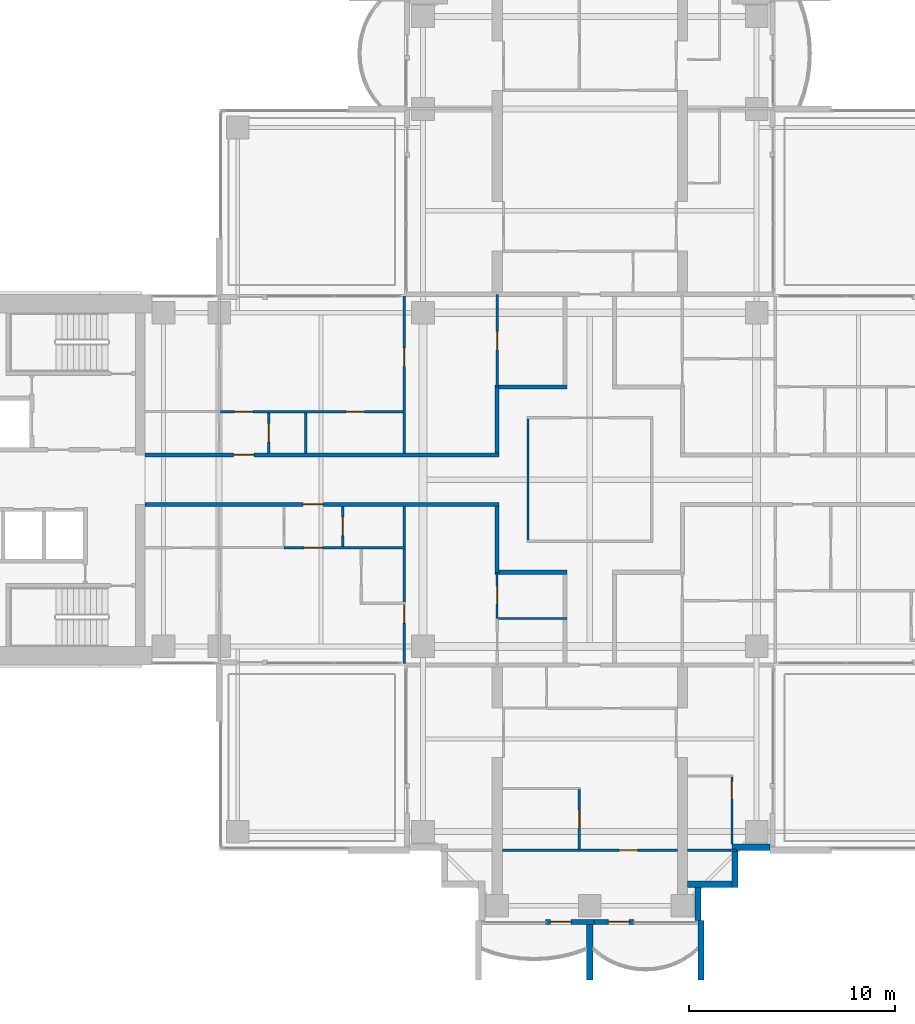
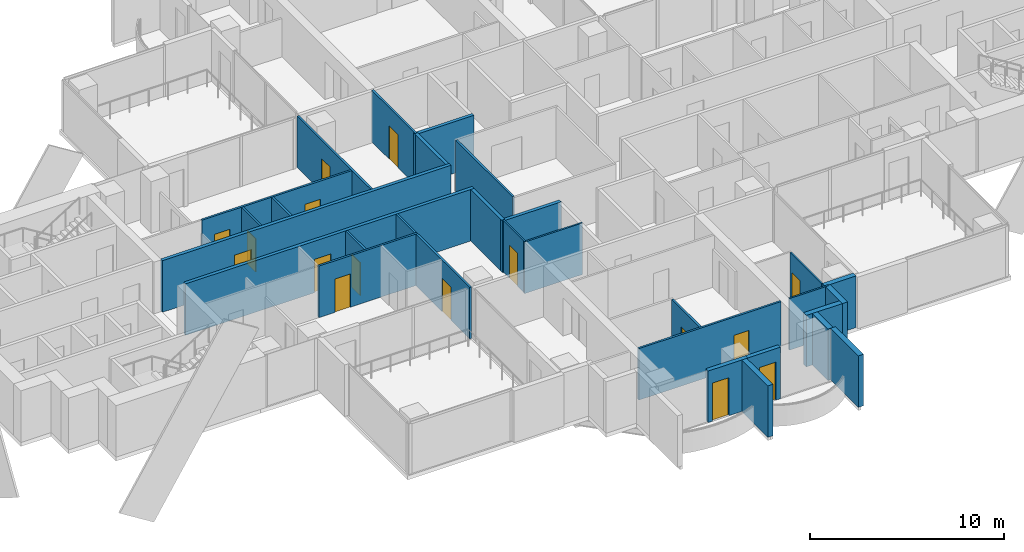
# One storey, part 10 of 19: 29 walls, 16 doors, 16 openings.
"""IFC4 building model written with IfcOpenShell, lengths in metres."""

from ifc_helpers import new_model, si_unit, direction, frame, frame_2d, origin, place, context, subcontext, project, spatial, rectangle, extrude, material, layer, layer_set, type_object, element, fill, save


model = new_model("IFC4")

# Units and contexts
model_context = context("Model", 3, precision=1e-05, world=origin(), true_north=direction((0.0, 1.0)))
body_context = subcontext(model_context, "Body", "Model", "MODEL_VIEW")
ifc_project = project(units=[si_unit("LENGTHUNIT", "METRE"), si_unit("AREAUNIT", "SQUARE_METRE"), si_unit("VOLUMEUNIT", "CUBIC_METRE"), si_unit("PLANEANGLEUNIT", "RADIAN"), si_unit("MASSUNIT", "GRAM", prefix="KILO")], contexts=[model_context])

# Site, building, storey
site_placement = place(None, origin())
site = spatial("IfcSite", under=ifc_project, at=site_placement, CompositionType="ELEMENT")
building_placement = place(site_placement, origin())
building = spatial("IfcBuilding", under=site, at=building_placement, Name="Perihelion Cross Residences", CompositionType="ELEMENT")
storey_placement = place(building_placement, frame((0.0, 0.0, 116.39990234375)))
storey = spatial("IfcBuildingStorey", under=building, at=storey_placement, Name="L27", CompositionType="ELEMENT", Elevation=116.39990234375)

# Wall, opening, door
ifc_material_1 = material(Name="Plasterboard partition")
ifc_layer_1 = layer(ifc_material_1, 0.199951171875)
ifc_layer_set_1 = layer_set([ifc_layer_1], Name="Apartment separation wall 200")
wall_type_1 = type_object("IfcWallType", Name="Apartment separation wall 200", PredefinedType="PARTITIONING", material=ifc_layer_set_1)
wall_1_placement = place(storey_placement, frame((-21.60009765625, 1.199951171875, 0.0), z_axis=(0.0, 0.0, 1.0), x_axis=(1.0, 0.0, 0.0)))
wall_1 = element("IfcWall", 1, at=wall_1_placement, inside=storey, type_object=wall_type_1, Name="Partition L27 W013", PredefinedType="PARTITIONING", context=body_context, shape_type="SweptSolid", body=[
    extrude(rectangle(XDim=17.2001953125, YDim=0.199951171875, at=frame_2d((8.60009765625, 0.0))), origin(), (0.0, 0.0, 1.0), 3.25),
])
opening_1_placement = place(wall_1_placement, frame((4.300048828125, 0.0, 0.0)))
opening_1 = element("IfcOpeningElement", 2, at=opening_1_placement, cuts=wall_1, Name="Opening L27.A51", PredefinedType="OPENING", context=body_context, shape_type="SweptSolid", body=[
    extrude(rectangle(XDim=1.0, YDim=2.10009765625, at=frame_2d((0.5, 1.050048828125))), frame((0.0, 0.10986328125, 0.0), z_axis=(0.0, -1.0, 0.0), x_axis=(1.0, 0.0, 0.0)), (0.0, 0.0, 1.0), 0.219970703125),
])
ifc_material_2 = material(Name="Timber door leaf", Category="wood")
door_type_1 = type_object("IfcDoorType", Name="Flat entrance door 1000 x 2100", OperationType="SINGLE_SWING_LEFT", PredefinedType="DOOR", material=ifc_material_2)
door_1_placement = place(opening_1_placement, origin())
door_1 = element("IfcDoor", 3, at=door_1_placement, inside=storey, type_object=door_type_1, Name="Door L27.A51", OperationType="SINGLE_SWING_LEFT", OverallHeight=2.10009765625, OverallWidth=1.0, PredefinedType="DOOR", context=body_context, shape_type="SweptSolid", body=[
    extrude(rectangle(XDim=1.0, YDim=2.10009765625, at=frame_2d((0.5, 1.050048828125))), frame((0.0, 0.02490234375, 0.0), z_axis=(0.0, -1.0, 0.0), x_axis=(1.0, 0.0, 0.0)), (0.0, 0.0, 1.0), 0.050048828125),
])
fill(opening_1, door_1)

# Walls
wall_2_placement = place(storey_placement, frame((-4.5, 1.300048828125, 0.0), z_axis=(0.0, 0.0, 1.0), x_axis=(0.0, 1.0, 0.0)))
element("IfcWall", 4, at=wall_2_placement, inside=storey, type_object=wall_type_1, Name="Partition L27 W014", PredefinedType="PARTITIONING", context=body_context, shape_type="SweptSolid", body=[
    extrude(rectangle(XDim=3.199951171875, YDim=0.199951171875, at=frame_2d((1.60009765625, 0.0))), origin(), (0.0, 0.0, 1.0), 3.25),
])
wall_3_placement = place(storey_placement, frame((-4.60009765625, 4.5, 0.0), z_axis=(0.0, 0.0, 1.0), x_axis=(1.0, 0.0, 0.0)))
element("IfcWall", 5, at=wall_3_placement, inside=storey, type_object=wall_type_1, Name="Partition L27 W015", PredefinedType="PARTITIONING", context=body_context, shape_type="SweptSolid", body=[
    extrude(rectangle(XDim=3.5, YDim=0.199951171875, at=frame_2d((1.75, 0.0))), origin(), (0.0, 0.0, 1.0), 3.25),
])

# Wall, opening, door
wall_4_placement = place(storey_placement, frame((-4.39990234375, -1.199951171875, 0.0), z_axis=(0.0, 0.0, 1.0), x_axis=(-1.0, 0.0, 0.0)))
wall_4 = element("IfcWall", 6, at=wall_4_placement, inside=storey, type_object=wall_type_1, Name="Partition L27 W017", PredefinedType="PARTITIONING", context=body_context, shape_type="SweptSolid", body=[
    extrude(rectangle(XDim=17.2001953125, YDim=0.199951171875, at=frame_2d((8.60009765625, 0.0))), origin(), (0.0, 0.0, 1.0), 3.25),
])
opening_2_placement = place(wall_4_placement, frame((8.52490234375, 0.0, 0.0)))
opening_2 = element("IfcOpeningElement", 7, at=opening_2_placement, cuts=wall_4, Name="Opening L27.A52", PredefinedType="OPENING", context=body_context, shape_type="SweptSolid", body=[
    extrude(rectangle(XDim=1.0, YDim=2.10009765625, at=frame_2d((0.5, 1.050048828125))), frame((0.0, 0.10986328125, 0.0), z_axis=(0.0, -1.0, 0.0), x_axis=(1.0, 0.0, 0.0)), (0.0, 0.0, 1.0), 0.219970703125),
])
door_2_placement = place(opening_2_placement, origin())
door_2 = element("IfcDoor", 8, at=door_2_placement, inside=storey, type_object=door_type_1, Name="Door L27.A52", OperationType="SINGLE_SWING_LEFT", OverallHeight=2.10009765625, OverallWidth=1.0, PredefinedType="DOOR", context=body_context, shape_type="SweptSolid", body=[
    extrude(rectangle(XDim=1.0, YDim=2.10009765625, at=frame_2d((0.5, 1.050048828125))), frame((0.0, 0.02490234375, 0.0), z_axis=(0.0, -1.0, 0.0), x_axis=(1.0, 0.0, 0.0)), (0.0, 0.0, 1.0), 0.050048828125),
])
fill(opening_2, door_2)

# Walls
wall_5_placement = place(storey_placement, frame((-4.5, -4.5, 0.0), z_axis=(0.0, 0.0, 1.0), x_axis=(0.0, 1.0, 0.0)))
element("IfcWall", 9, at=wall_5_placement, inside=storey, type_object=wall_type_1, Name="Partition L27 W018", PredefinedType="PARTITIONING", context=body_context, shape_type="SweptSolid", body=[
    extrude(rectangle(XDim=3.199951171875, YDim=0.199951171875, at=frame_2d((1.60009765625, 0.0))), origin(), (0.0, 0.0, 1.0), 3.25),
])
wall_6_placement = place(storey_placement, frame((-1.10009765625, -4.5, 0.0), z_axis=(0.0, 0.0, 1.0), x_axis=(-1.0, 0.0, 0.0)))
element("IfcWall", 10, at=wall_6_placement, inside=storey, type_object=wall_type_1, Name="Partition L27 W020", PredefinedType="PARTITIONING", context=body_context, shape_type="SweptSolid", body=[
    extrude(rectangle(XDim=3.5, YDim=0.199951171875, at=frame_2d((1.75, 0.0))), origin(), (0.0, 0.0, 1.0), 3.25),
])

# Wall, opening, door
ifc_material_3 = material(Name="Concrete C30/37, bronze-clad", Category="concrete")
ifc_layer_2 = layer(ifc_material_3, 0.25)
ifc_layer_set_2 = layer_set([ifc_layer_2], Name="Bronze-clad pier wall 250")
wall_type_2 = type_object("IfcWallType", Name="Bronze-clad pier wall 250", PredefinedType="SOLIDWALL", material=ifc_layer_set_2)
wall_7_placement = place(storey_placement, frame((-2.14990234375, -21.47509765625, 0.0), z_axis=(0.0, 0.0, 1.0), x_axis=(1.0, 0.0, 0.0)))
wall_7 = element("IfcWall", 11, at=wall_7_placement, inside=storey, type_object=wall_type_2, Name="Wall FW1 L27 south tip south bay 1 pier", PredefinedType="SOLIDWALL", context=body_context, shape_type="SweptSolid", body=[
    extrude(rectangle(XDim=2.349853515625, YDim=0.25, at=frame_2d((1.1748046875, 0.0))), origin(), (0.0, 0.0, 1.0), 3.25),
])
opening_3_placement = place(wall_7_placement, frame((0.25, 0.0, 0.0)))
opening_3 = element("IfcOpeningElement", 12, at=opening_3_placement, cuts=wall_7, Name="Opening L27.E11", PredefinedType="OPENING", context=body_context, shape_type="SweptSolid", body=[
    extrude(rectangle(XDim=1.0, YDim=2.39990234375, at=frame_2d((0.5, 1.199951171875))), frame((0.0, 0.135009765625, 0.0), z_axis=(0.0, -1.0, 0.0), x_axis=(1.0, 0.0, 0.0)), (0.0, 0.0, 1.0), 0.27001953125),
])
ifc_material_4 = material(Name="Bronze anodised aluminium, glazed", Category="aluminium")
door_type_2 = type_object("IfcDoorType", Name="Balcony door 1000 x 2400", OperationType="NOTDEFINED", PredefinedType="DOOR", material=ifc_material_4)
door_3_placement = place(opening_3_placement, origin())
door_3 = element("IfcDoor", 13, at=door_3_placement, inside=storey, type_object=door_type_2, Name="Door L27.E11 south tip south bay 1", OperationType="SINGLE_SWING_RIGHT", OverallHeight=2.39990234375, OverallWidth=1.0, PredefinedType="DOOR", context=body_context, shape_type="SweptSolid", body=[
    extrude(rectangle(XDim=1.0, YDim=2.39990234375, at=frame_2d((0.5, 1.199951171875))), frame((0.0, 0.02490234375, 0.0), z_axis=(0.0, -1.0, 0.0), x_axis=(1.0, 0.0, 0.0)), (0.0, 0.0, 1.0), 0.050048828125),
])
fill(opening_3, door_3)

wall_8_placement = place(storey_placement, frame((0.199951171875, -21.47509765625, 0.0), z_axis=(0.0, 0.0, 1.0), x_axis=(1.0, 0.0, 0.0)))
wall_8 = element("IfcWall", 14, at=wall_8_placement, inside=storey, type_object=wall_type_2, Name="Wall FW1 L27 south tip south bay 2 pier", PredefinedType="SOLIDWALL", context=body_context, shape_type="SweptSolid", body=[
    extrude(rectangle(XDim=1.949951171875, YDim=0.25, at=frame_2d((0.97509765625, 0.0))), origin(), (0.0, 0.0, 1.0), 3.25),
])
opening_4_placement = place(wall_8_placement, frame((0.699951171875, 0.0, 0.0)))
opening_4 = element("IfcOpeningElement", 15, at=opening_4_placement, cuts=wall_8, Name="Opening L27.E12", PredefinedType="OPENING", context=body_context, shape_type="SweptSolid", body=[
    extrude(rectangle(XDim=1.0, YDim=2.39990234375, at=frame_2d((0.5, 1.199951171875))), frame((0.0, 0.135009765625, 0.0), z_axis=(0.0, -1.0, 0.0), x_axis=(1.0, 0.0, 0.0)), (0.0, 0.0, 1.0), 0.27001953125),
])
door_4_placement = place(opening_4_placement, origin())
door_4 = element("IfcDoor", 16, at=door_4_placement, inside=storey, type_object=door_type_2, Name="Door L27.E12 south tip south bay 2", OperationType="SINGLE_SWING_LEFT", OverallHeight=2.39990234375, OverallWidth=1.0, PredefinedType="DOOR", context=body_context, shape_type="SweptSolid", body=[
    extrude(rectangle(XDim=1.0, YDim=2.39990234375, at=frame_2d((0.5, 1.199951171875))), frame((0.0, 0.02490234375, 0.0), z_axis=(0.0, -1.0, 0.0), x_axis=(1.0, 0.0, 0.0)), (0.0, 0.0, 1.0), 0.050048828125),
])
fill(opening_4, door_4)

# Walls
ifc_material_5 = material(Name="Concrete C30/37, bronze-clad", Category="concrete")
ifc_layer_3 = layer(ifc_material_5, 0.300048828125)
ifc_layer_set_3 = layer_set([ifc_layer_3], Name="Bronze-clad serration wall 300")
wall_type_3 = type_object("IfcWallType", Name="Bronze-clad serration wall 300", PredefinedType="SOLIDWALL", material=ifc_layer_set_3)
wall_9_placement = place(storey_placement, frame((5.25, -21.419921875, 0.0), z_axis=(0.0, 0.0, 1.0), x_axis=(0.0, 1.0, 0.0)))
element("IfcWall", 17, at=wall_9_placement, inside=storey, type_object=wall_type_3, Name="Wall SR1 L27 south corner south-east 1", PredefinedType="SOLIDWALL", context=body_context, shape_type="SweptSolid", body=[
    extrude(rectangle(XDim=1.619873046875, YDim=0.300048828125, at=frame_2d((0.81005859375, 0.0))), origin(), (0.0, 0.0, 1.0), 3.25),
])
wall_10_placement = place(storey_placement, frame((4.75, -19.64990234375, 0.0), z_axis=(0.0, 0.0, 1.0), x_axis=(1.0, 0.0, 0.0)))
element("IfcWall", 18, at=wall_10_placement, inside=storey, type_object=wall_type_3, Name="Wall SR1 L27 south corner south-east 2", PredefinedType="SOLIDWALL", context=body_context, shape_type="SweptSolid", body=[
    extrude(rectangle(XDim=2.14990234375, YDim=0.300048828125, at=frame_2d((1.074951171875, 0.0))), origin(), (0.0, 0.0, 1.0), 3.25),
])
wall_11_placement = place(storey_placement, frame((7.050048828125, -19.800048828125, 0.0), z_axis=(0.0, 0.0, 1.0), x_axis=(0.0, 1.0, 0.0)))
element("IfcWall", 19, at=wall_11_placement, inside=storey, type_object=wall_type_3, Name="Wall SR1 L27 south corner south-east 3", PredefinedType="SOLIDWALL", context=body_context, shape_type="SweptSolid", body=[
    extrude(rectangle(XDim=1.800048828125, YDim=0.300048828125, at=frame_2d((0.89990234375, 0.0))), origin(), (0.0, 0.0, 1.0), 3.25),
])
wall_12_placement = place(storey_placement, frame((6.89990234375, -17.85009765625, 0.0), z_axis=(0.0, 0.0, 1.0), x_axis=(1.0, 0.0, 0.0)))
element("IfcWall", 20, at=wall_12_placement, inside=storey, type_object=wall_type_3, Name="Wall SR1 L27 south corner south-east 4", PredefinedType="SOLIDWALL", context=body_context, shape_type="SweptSolid", body=[
    extrude(rectangle(XDim=1.85009765625, YDim=0.300048828125, at=frame_2d((0.925048828125, 0.0))), origin(), (0.0, 0.0, 1.0), 3.25),
])
ifc_material_6 = material(Name="Plasterboard partition")
ifc_layer_4 = layer(ifc_material_6, 0.1201171875)
ifc_layer_set_4 = layer_set([ifc_layer_4], Name="Partition wall 120")
wall_type_4 = type_object("IfcWallType", Name="Partition wall 120", PredefinedType="PARTITIONING", material=ifc_layer_set_4)
wall_13_placement = place(storey_placement, frame((-3.0, 2.93994140625, 0.0), z_axis=(0.0, 0.0, 1.0), x_axis=(0.0, -1.0, 0.0)))
element("IfcWall", 21, at=wall_13_placement, inside=storey, type_object=wall_type_4, Name="Partition L27 W004", PredefinedType="PARTITIONING", context=body_context, shape_type="SweptSolid", body=[
    extrude(rectangle(XDim=5.8798828125, YDim=0.1201171875, at=frame_2d((2.93994140625, 0.0))), origin(), (0.0, 0.0, 1.0), 3.25),
])
wall_14_placement = place(storey_placement, frame((-13.800048828125, 1.300048828125, 0.0), z_axis=(0.0, 0.0, 1.0), x_axis=(0.0, 1.0, 0.0)))
element("IfcWall", 22, at=wall_14_placement, inside=storey, type_object=wall_type_4, Name="Partition L27 W045", PredefinedType="PARTITIONING", context=body_context, shape_type="SweptSolid", body=[
    extrude(rectangle(XDim=1.93994140625, YDim=0.1201171875, at=frame_2d((0.969970703125, 0.0))), origin(), (0.0, 0.0, 1.0), 3.25),
])

# Wall, openings, doors
wall_15_placement = place(storey_placement, frame((-18.0, 3.300048828125, 0.0), z_axis=(0.0, 0.0, 1.0), x_axis=(1.0, 0.0, 0.0)))
wall_15 = element("IfcWall", 23, at=wall_15_placement, inside=storey, type_object=wall_type_4, Name="Partition L27 W046", PredefinedType="PARTITIONING", context=body_context, shape_type="SweptSolid", body=[
    extrude(rectangle(XDim=9.06005859375, YDim=0.1201171875, at=frame_2d((4.530029296875, 0.0))), origin(), (0.0, 0.0, 1.0), 3.25),
])
opening_5_placement = place(wall_15_placement, frame((6.14990234375, 0.0, 0.0)))
opening_5 = element("IfcOpeningElement", 24, at=opening_5_placement, cuts=wall_15, Name="Opening L27.A20", PredefinedType="OPENING", context=body_context, shape_type="SweptSolid", body=[
    extrude(rectangle(XDim=0.89990234375, YDim=2.10009765625, at=frame_2d((0.449951171875, 1.050048828125))), frame((0.0, 0.070068359375, 0.0), z_axis=(0.0, -1.0, 0.0), x_axis=(1.0, 0.0, 0.0)), (0.0, 0.0, 1.0), 0.14013671875),
])
opening_6_placement = place(wall_15_placement, frame((0.75, 0.0, 0.0)))
opening_6 = element("IfcOpeningElement", 25, at=opening_6_placement, cuts=wall_15, Name="Opening L27.A23", PredefinedType="OPENING", context=body_context, shape_type="SweptSolid", body=[
    extrude(rectangle(XDim=0.89990234375, YDim=2.10009765625, at=frame_2d((0.449951171875, 1.050048828125))), frame((0.0, 0.070068359375, 0.0), z_axis=(0.0, -1.0, 0.0), x_axis=(1.0, 0.0, 0.0)), (0.0, 0.0, 1.0), 0.14013671875),
])
ifc_material_7 = material(Name="Timber door leaf", Category="wood")
door_type_3 = type_object("IfcDoorType", Name="Interior room door 900 x 2100", OperationType="SINGLE_SWING_LEFT", PredefinedType="DOOR", material=ifc_material_7)
door_5_placement = place(opening_5_placement, origin())
door_5 = element("IfcDoor", 26, at=door_5_placement, inside=storey, type_object=door_type_3, Name="Door L27.A20", OperationType="SINGLE_SWING_LEFT", OverallHeight=2.10009765625, OverallWidth=0.89990234375, PredefinedType="DOOR", context=body_context, shape_type="SweptSolid", body=[
    extrude(rectangle(XDim=0.89990234375, YDim=2.10009765625, at=frame_2d((0.449951171875, 1.050048828125))), frame((0.0, 0.02490234375, 0.0), z_axis=(0.0, -1.0, 0.0), x_axis=(1.0, 0.0, 0.0)), (0.0, 0.0, 1.0), 0.050048828125),
])
fill(opening_5, door_5)
door_6_placement = place(opening_6_placement, origin())
door_6 = element("IfcDoor", 27, at=door_6_placement, inside=storey, type_object=door_type_3, Name="Door L27.A23", OperationType="SINGLE_SWING_RIGHT", OverallHeight=2.10009765625, OverallWidth=0.89990234375, PredefinedType="DOOR", context=body_context, shape_type="SweptSolid", body=[
    extrude(rectangle(XDim=0.89990234375, YDim=2.10009765625, at=frame_2d((0.449951171875, 1.050048828125))), frame((0.0, 0.02490234375, 0.0), z_axis=(0.0, -1.0, 0.0), x_axis=(1.0, 0.0, 0.0)), (0.0, 0.0, 1.0), 0.050048828125),
])
fill(opening_6, door_6)

# Wall, opening, door
wall_16_placement = place(storey_placement, frame((-9.0, 8.919921875, 0.0), z_axis=(0.0, 0.0, 1.0), x_axis=(0.0, -1.0, 0.0)))
wall_16 = element("IfcWall", 28, at=wall_16_placement, inside=storey, type_object=wall_type_4, Name="Partition L27 W047", PredefinedType="PARTITIONING", context=body_context, shape_type="SweptSolid", body=[
    extrude(rectangle(XDim=7.619873046875, YDim=0.1201171875, at=frame_2d((3.81005859375, 0.0))), origin(), (0.0, 0.0, 1.0), 3.25),
])
opening_7_placement = place(wall_16_placement, frame((2.52001953125, 0.0, 0.0)))
opening_7 = element("IfcOpeningElement", 29, at=opening_7_placement, cuts=wall_16, Name="Opening L27.A21", PredefinedType="OPENING", context=body_context, shape_type="SweptSolid", body=[
    extrude(rectangle(XDim=0.89990234375, YDim=2.10009765625, at=frame_2d((0.449951171875, 1.050048828125))), frame((0.0, 0.070068359375, 0.0), z_axis=(0.0, -1.0, 0.0), x_axis=(1.0, 0.0, 0.0)), (0.0, 0.0, 1.0), 0.14013671875),
])
door_7_placement = place(opening_7_placement, origin())
door_7 = element("IfcDoor", 30, at=door_7_placement, inside=storey, type_object=door_type_3, Name="Door L27.A21", OperationType="SINGLE_SWING_LEFT", OverallHeight=2.10009765625, OverallWidth=0.89990234375, PredefinedType="DOOR", context=body_context, shape_type="SweptSolid", body=[
    extrude(rectangle(XDim=0.89990234375, YDim=2.10009765625, at=frame_2d((0.449951171875, 1.050048828125))), frame((0.0, 0.02490234375, 0.0), z_axis=(0.0, -1.0, 0.0), x_axis=(1.0, 0.0, 0.0)), (0.0, 0.0, 1.0), 0.050048828125),
])
fill(opening_7, door_7)

wall_17_placement = place(storey_placement, frame((-15.60009765625, 1.300048828125, 0.0), z_axis=(0.0, 0.0, 1.0), x_axis=(0.0, 1.0, 0.0)))
wall_17 = element("IfcWall", 31, at=wall_17_placement, inside=storey, type_object=wall_type_4, Name="Partition L27 W048", PredefinedType="PARTITIONING", context=body_context, shape_type="SweptSolid", body=[
    extrude(rectangle(XDim=1.93994140625, YDim=0.1201171875, at=frame_2d((0.969970703125, 0.0))), origin(), (0.0, 0.0, 1.0), 3.25),
])
opening_8_placement = place(wall_17_placement, frame((0.52001953125, 0.0, 0.0)))
opening_8 = element("IfcOpeningElement", 32, at=opening_8_placement, cuts=wall_17, Name="Opening L27.A25", PredefinedType="OPENING", context=body_context, shape_type="SweptSolid", body=[
    extrude(rectangle(XDim=0.89990234375, YDim=2.10009765625, at=frame_2d((0.449951171875, 1.050048828125))), frame((0.0, 0.070068359375, 0.0), z_axis=(0.0, -1.0, 0.0), x_axis=(1.0, 0.0, 0.0)), (0.0, 0.0, 1.0), 0.14013671875),
])
door_8_placement = place(opening_8_placement, origin())
door_8 = element("IfcDoor", 33, at=door_8_placement, inside=storey, type_object=door_type_3, Name="Door L27.A25", OperationType="SINGLE_SWING_LEFT", OverallHeight=2.10009765625, OverallWidth=0.89990234375, PredefinedType="DOOR", context=body_context, shape_type="SweptSolid", body=[
    extrude(rectangle(XDim=0.89990234375, YDim=2.10009765625, at=frame_2d((0.449951171875, 1.050048828125))), frame((0.0, 0.02490234375, 0.0), z_axis=(0.0, -1.0, 0.0), x_axis=(1.0, 0.0, 0.0)), (0.0, 0.0, 1.0), 0.050048828125),
])
fill(opening_8, door_8)

wall_18_placement = place(storey_placement, frame((-4.5, 9.0, 0.0), z_axis=(0.0, 0.0, 1.0), x_axis=(0.0, -1.0, 0.0)))
wall_18 = element("IfcWall", 34, at=wall_18_placement, inside=storey, type_object=wall_type_4, Name="Partition L27 W052", PredefinedType="PARTITIONING", context=body_context, shape_type="SweptSolid", body=[
    extrude(rectangle(XDim=4.5, YDim=0.1201171875, at=frame_2d((2.25, 0.0))), origin(), (0.0, 0.0, 1.0), 3.25),
])
opening_9_placement = place(wall_18_placement, frame((1.800048828125, 0.0, 0.0)))
opening_9 = element("IfcOpeningElement", 35, at=opening_9_placement, cuts=wall_18, Name="Opening L27.A22", PredefinedType="OPENING", context=body_context, shape_type="SweptSolid", body=[
    extrude(rectangle(XDim=0.89990234375, YDim=2.10009765625, at=frame_2d((0.449951171875, 1.050048828125))), frame((0.0, 0.070068359375, 0.0), z_axis=(0.0, -1.0, 0.0), x_axis=(1.0, 0.0, 0.0)), (0.0, 0.0, 1.0), 0.14013671875),
])
door_9_placement = place(opening_9_placement, origin())
door_9 = element("IfcDoor", 36, at=door_9_placement, inside=storey, type_object=door_type_3, Name="Door L27.A22", OperationType="SINGLE_SWING_LEFT", OverallHeight=2.10009765625, OverallWidth=0.89990234375, PredefinedType="DOOR", context=body_context, shape_type="SweptSolid", body=[
    extrude(rectangle(XDim=0.89990234375, YDim=2.10009765625, at=frame_2d((0.449951171875, 1.050048828125))), frame((0.0, 0.02490234375, 0.0), z_axis=(0.0, -1.0, 0.0), x_axis=(1.0, 0.0, 0.0)), (0.0, 0.0, 1.0), 0.050048828125),
])
fill(opening_9, door_9)

wall_19_placement = place(storey_placement, frame((-12.0, -3.239990234375, 0.0), z_axis=(0.0, 0.0, 1.0), x_axis=(0.0, 1.0, 0.0)))
wall_19 = element("IfcWall", 37, at=wall_19_placement, inside=storey, type_object=wall_type_4, Name="Partition L27 W053", PredefinedType="PARTITIONING", context=body_context, shape_type="SweptSolid", body=[
    extrude(rectangle(XDim=1.93994140625, YDim=0.1201171875, at=frame_2d((0.969970703125, 0.0))), origin(), (0.0, 0.0, 1.0), 3.25),
])
opening_10_placement = place(wall_19_placement, frame((0.52001953125, 0.0, 0.0)))
opening_10 = element("IfcOpeningElement", 38, at=opening_10_placement, cuts=wall_19, Name="Opening L27.A29", PredefinedType="OPENING", context=body_context, shape_type="SweptSolid", body=[
    extrude(rectangle(XDim=0.89990234375, YDim=2.10009765625, at=frame_2d((0.449951171875, 1.050048828125))), frame((0.0, 0.070068359375, 0.0), z_axis=(0.0, -1.0, 0.0), x_axis=(1.0, 0.0, 0.0)), (0.0, 0.0, 1.0), 0.14013671875),
])
door_10_placement = place(opening_10_placement, origin())
door_10 = element("IfcDoor", 39, at=door_10_placement, inside=storey, type_object=door_type_3, Name="Door L27.A29", OperationType="SINGLE_SWING_LEFT", OverallHeight=2.10009765625, OverallWidth=0.89990234375, PredefinedType="DOOR", context=body_context, shape_type="SweptSolid", body=[
    extrude(rectangle(XDim=0.89990234375, YDim=2.10009765625, at=frame_2d((0.449951171875, 1.050048828125))), frame((0.0, 0.02490234375, 0.0), z_axis=(0.0, -1.0, 0.0), x_axis=(1.0, 0.0, 0.0)), (0.0, 0.0, 1.0), 0.050048828125),
])
fill(opening_10, door_10)

wall_20_placement = place(storey_placement, frame((-8.93994140625, -3.300048828125, 0.0), z_axis=(0.0, 0.0, 1.0), x_axis=(-1.0, 0.0, 0.0)))
wall_20 = element("IfcWall", 40, at=wall_20_placement, inside=storey, type_object=wall_type_4, Name="Partition L27 W054", PredefinedType="PARTITIONING", context=body_context, shape_type="SweptSolid", body=[
    extrude(rectangle(XDim=5.91015625, YDim=0.1201171875, at=frame_2d((2.955078125, 0.0))), origin(), (0.0, 0.0, 1.0), 3.25),
])
opening_11_placement = place(wall_20_placement, frame((4.034912109375, 0.0, 0.0)))
opening_11 = element("IfcOpeningElement", 41, at=opening_11_placement, cuts=wall_20, Name="Opening L27.A34", PredefinedType="OPENING", context=body_context, shape_type="SweptSolid", body=[
    extrude(rectangle(XDim=0.89990234375, YDim=2.10009765625, at=frame_2d((0.449951171875, 1.050048828125))), frame((0.0, 0.070068359375, 0.0), z_axis=(0.0, -1.0, 0.0), x_axis=(1.0, 0.0, 0.0)), (0.0, 0.0, 1.0), 0.14013671875),
])
door_11_placement = place(opening_11_placement, origin())
door_11 = element("IfcDoor", 42, at=door_11_placement, inside=storey, type_object=door_type_3, Name="Door L27.A34", OperationType="SINGLE_SWING_RIGHT", OverallHeight=2.10009765625, OverallWidth=0.89990234375, PredefinedType="DOOR", context=body_context, shape_type="SweptSolid", body=[
    extrude(rectangle(XDim=0.89990234375, YDim=2.10009765625, at=frame_2d((0.449951171875, 1.050048828125))), frame((0.0, 0.02490234375, 0.0), z_axis=(0.0, -1.0, 0.0), x_axis=(1.0, 0.0, 0.0)), (0.0, 0.0, 1.0), 0.050048828125),
])
fill(opening_11, door_11)

wall_21_placement = place(storey_placement, frame((-9.0, -1.300048828125, 0.0), z_axis=(0.0, 0.0, 1.0), x_axis=(0.0, -1.0, 0.0)))
wall_21 = element("IfcWall", 43, at=wall_21_placement, inside=storey, type_object=wall_type_4, Name="Partition L27 W055", PredefinedType="PARTITIONING", context=body_context, shape_type="SweptSolid", body=[
    extrude(rectangle(XDim=7.619873046875, YDim=0.1201171875, at=frame_2d((3.81005859375, 0.0))), origin(), (0.0, 0.0, 1.0), 3.25),
])
opening_12_placement = place(wall_21_placement, frame((4.77001953125, 0.0, 0.0)))
opening_12 = element("IfcOpeningElement", 44, at=opening_12_placement, cuts=wall_21, Name="Opening L27.A28", PredefinedType="OPENING", context=body_context, shape_type="SweptSolid", body=[
    extrude(rectangle(XDim=0.89990234375, YDim=2.10009765625, at=frame_2d((0.449951171875, 1.050048828125))), frame((0.0, 0.070068359375, 0.0), z_axis=(0.0, -1.0, 0.0), x_axis=(1.0, 0.0, 0.0)), (0.0, 0.0, 1.0), 0.14013671875),
])
door_12_placement = place(opening_12_placement, origin())
door_12 = element("IfcDoor", 45, at=door_12_placement, inside=storey, type_object=door_type_3, Name="Door L27.A28", OperationType="SINGLE_SWING_RIGHT", OverallHeight=2.10009765625, OverallWidth=0.89990234375, PredefinedType="DOOR", context=body_context, shape_type="SweptSolid", body=[
    extrude(rectangle(XDim=0.89990234375, YDim=2.10009765625, at=frame_2d((0.449951171875, 1.050048828125))), frame((0.0, 0.02490234375, 0.0), z_axis=(0.0, -1.0, 0.0), x_axis=(1.0, 0.0, 0.0)), (0.0, 0.0, 1.0), 0.050048828125),
])
fill(opening_12, door_12)

wall_22_placement = place(storey_placement, frame((-0.5, -17.93994140625, 0.0), z_axis=(0.0, 0.0, 1.0), x_axis=(0.0, 1.0, 0.0)))
wall_22 = element("IfcWall", 46, at=wall_22_placement, inside=storey, type_object=wall_type_4, Name="Partition L27 W085", PredefinedType="PARTITIONING", context=body_context, shape_type="SweptSolid", body=[
    extrude(rectangle(XDim=2.8798828125, YDim=0.1201171875, at=frame_2d((1.43994140625, 0.0))), origin(), (0.0, 0.0, 1.0), 3.25),
])
opening_13_placement = place(wall_22_placement, frame((0.989990234375, 0.0, 0.0)))
opening_13 = element("IfcOpeningElement", 47, at=opening_13_placement, cuts=wall_22, Name="Opening L27.A46", PredefinedType="OPENING", context=body_context, shape_type="SweptSolid", body=[
    extrude(rectangle(XDim=0.89990234375, YDim=2.10009765625, at=frame_2d((0.449951171875, 1.050048828125))), frame((0.0, 0.070068359375, 0.0), z_axis=(0.0, -1.0, 0.0), x_axis=(1.0, 0.0, 0.0)), (0.0, 0.0, 1.0), 0.14013671875),
])
door_13_placement = place(opening_13_placement, origin())
door_13 = element("IfcDoor", 48, at=door_13_placement, inside=storey, type_object=door_type_3, Name="Door L27.A46", OperationType="SINGLE_SWING_RIGHT", OverallHeight=2.10009765625, OverallWidth=0.89990234375, PredefinedType="DOOR", context=body_context, shape_type="SweptSolid", body=[
    extrude(rectangle(XDim=0.89990234375, YDim=2.10009765625, at=frame_2d((0.449951171875, 1.050048828125))), frame((0.0, 0.02490234375, 0.0), z_axis=(0.0, -1.0, 0.0), x_axis=(1.0, 0.0, 0.0)), (0.0, 0.0, 1.0), 0.050048828125),
])
fill(opening_13, door_13)

wall_23_placement = place(storey_placement, frame((4.25, -18.0, 0.0), z_axis=(0.0, 0.0, 1.0), x_axis=(-1.0, 0.0, 0.0)))
wall_23 = element("IfcWall", 49, at=wall_23_placement, inside=storey, type_object=wall_type_4, Name="Partition L27 W087", PredefinedType="PARTITIONING", context=body_context, shape_type="SweptSolid", body=[
    extrude(rectangle(XDim=8.5, YDim=0.1201171875, at=frame_2d((4.25, 0.0))), origin(), (0.0, 0.0, 1.0), 3.25),
])
opening_14_placement = place(wall_23_placement, frame((1.925048828125, 0.0, 0.0)))
opening_14 = element("IfcOpeningElement", 50, at=opening_14_placement, cuts=wall_23, Name="Opening L27.A47", PredefinedType="OPENING", context=body_context, shape_type="SweptSolid", body=[
    extrude(rectangle(XDim=0.89990234375, YDim=2.10009765625, at=frame_2d((0.449951171875, 1.050048828125))), frame((0.0, 0.070068359375, 0.0), z_axis=(0.0, -1.0, 0.0), x_axis=(1.0, 0.0, 0.0)), (0.0, 0.0, 1.0), 0.14013671875),
])
door_14_placement = place(opening_14_placement, origin())
door_14 = element("IfcDoor", 51, at=door_14_placement, inside=storey, type_object=door_type_3, Name="Door L27.A47", OperationType="SINGLE_SWING_RIGHT", OverallHeight=2.10009765625, OverallWidth=0.89990234375, PredefinedType="DOOR", context=body_context, shape_type="SweptSolid", body=[
    extrude(rectangle(XDim=0.89990234375, YDim=2.10009765625, at=frame_2d((0.449951171875, 1.050048828125))), frame((0.0, 0.02490234375, 0.0), z_axis=(0.0, -1.0, 0.0), x_axis=(1.0, 0.0, 0.0)), (0.0, 0.0, 1.0), 0.050048828125),
])
fill(opening_14, door_14)

# Walls
ifc_material_8 = material(Name="Precast concrete C50/60", Category="concrete")
ifc_layer_5 = layer(ifc_material_8, 0.300048828125)
ifc_layer_set_5 = layer_set([ifc_layer_5], Name="Precast concrete C50/60 blade wall 300")
wall_type_5 = type_object("IfcWallType", Name="Precast concrete C50/60 blade wall 300", PredefinedType="SOLIDWALL", material=ifc_layer_set_5)
wall_24_placement = place(storey_placement, frame((0.0, -21.60009765625, 0.0), z_axis=(0.0, 0.0, 1.0), x_axis=(0.0, -1.0, 0.0)))
element("IfcWall", 52, at=wall_24_placement, inside=storey, type_object=wall_type_5, Name="Wall BL1 L27 no. 8", PredefinedType="SOLIDWALL", context=body_context, shape_type="SweptSolid", body=[
    extrude(rectangle(XDim=2.699951171875, YDim=0.300048828125, at=frame_2d((1.35009765625, 0.0))), origin(), (0.0, 0.0, 1.0), 3.25),
])
wall_25_placement = place(storey_placement, frame((5.39990234375, -21.419921875, 0.0), z_axis=(0.0, 0.0, 1.0), x_axis=(0.0, -1.0, 0.0)))
element("IfcWall", 53, at=wall_25_placement, inside=storey, type_object=wall_type_5, Name="Wall BL1 L27 no. 12", PredefinedType="SOLIDWALL", context=body_context, shape_type="SweptSolid", body=[
    extrude(rectangle(XDim=2.880126953125, YDim=0.300048828125, at=frame_2d((1.43994140625, 0.0))), origin(), (0.0, 0.0, 1.0), 3.25),
])

# Wall, opening, door
ifc_material_9 = material(Name="Plasterboard partition")
ifc_layer_6 = layer(ifc_material_9, 0.10009765625)
ifc_layer_set_6 = layer_set([ifc_layer_6], Name="Wet room wall 100")
wall_type_6 = type_object("IfcWallType", Name="Wet room wall 100", PredefinedType="PARTITIONING", material=ifc_layer_set_6)
wall_26_placement = place(storey_placement, frame((-4.5, -4.5, 0.0), z_axis=(0.0, 0.0, 1.0), x_axis=(0.0, -1.0, 0.0)))
wall_26 = element("IfcWall", 54, at=wall_26_placement, inside=storey, type_object=wall_type_6, Name="Partition L27 W063", PredefinedType="PARTITIONING", context=body_context, shape_type="SweptSolid", body=[
    extrude(rectangle(XDim=2.25, YDim=0.10009765625, at=frame_2d((1.125, 0.0))), origin(), (0.0, 0.0, 1.0), 3.25),
])
opening_15_placement = place(wall_26_placement, frame((0.699951171875, 0.0, 0.0)))
opening_15 = element("IfcOpeningElement", 55, at=opening_15_placement, cuts=wall_26, Name="Opening L27.A27", PredefinedType="OPENING", context=body_context, shape_type="SweptSolid", body=[
    extrude(rectangle(XDim=0.85009765625, YDim=2.10009765625, at=frame_2d((0.425048828125, 1.050048828125))), frame((0.0, 0.06005859375, 0.0), z_axis=(0.0, -1.0, 0.0), x_axis=(1.0, 0.0, 0.0)), (0.0, 0.0, 1.0), 0.1201171875),
])
ifc_material_10 = material(Name="Timber door leaf", Category="wood")
door_type_4 = type_object("IfcDoorType", Name="Interior bathroom door 850 x 2100", OperationType="SINGLE_SWING_LEFT", PredefinedType="DOOR", material=ifc_material_10)
door_15_placement = place(opening_15_placement, origin())
door_15 = element("IfcDoor", 56, at=door_15_placement, inside=storey, type_object=door_type_4, Name="Door L27.A27", OperationType="SINGLE_SWING_LEFT", OverallHeight=2.10009765625, OverallWidth=0.85009765625, PredefinedType="DOOR", context=body_context, shape_type="SweptSolid", body=[
    extrude(rectangle(XDim=0.85009765625, YDim=2.10009765625, at=frame_2d((0.425048828125, 1.050048828125))), frame((0.0, 0.02490234375, 0.0), z_axis=(0.0, -1.0, 0.0), x_axis=(1.0, 0.0, 0.0)), (0.0, 0.0, 1.0), 0.050048828125),
])
fill(opening_15, door_15)

# Wall
wall_27_placement = place(storey_placement, frame((-1.10009765625, -6.75, 0.0), z_axis=(0.0, 0.0, 1.0), x_axis=(-1.0, 0.0, 0.0)))
element("IfcWall", 57, at=wall_27_placement, inside=storey, type_object=wall_type_6, Name="Partition L27 W065", PredefinedType="PARTITIONING", context=body_context, shape_type="SweptSolid", body=[
    extrude(rectangle(XDim=3.4599609375, YDim=0.10009765625, at=frame_2d((1.72998046875, 0.0))), origin(), (0.0, 0.0, 1.0), 3.25),
])

# Wall, opening, door
wall_28_placement = place(storey_placement, frame((6.89990234375, -17.699951171875, 0.0), z_axis=(0.0, 0.0, 1.0), x_axis=(0.0, 1.0, 0.0)))
wall_28 = element("IfcWall", 58, at=wall_28_placement, inside=storey, type_object=wall_type_6, Name="Partition L27 W088", PredefinedType="PARTITIONING", context=body_context, shape_type="SweptSolid", body=[
    extrude(rectangle(XDim=3.25, YDim=0.10009765625, at=frame_2d((1.625, 0.0))), origin(), (0.0, 0.0, 1.0), 3.25),
])
opening_16_placement = place(wall_28_placement, frame((2.199951171875, 0.0, 0.0)))
opening_16 = element("IfcOpeningElement", 59, at=opening_16_placement, cuts=wall_28, Name="Opening L27.A48", PredefinedType="OPENING", context=body_context, shape_type="SweptSolid", body=[
    extrude(rectangle(XDim=0.85009765625, YDim=2.10009765625, at=frame_2d((0.425048828125, 1.050048828125))), frame((0.0, 0.06005859375, 0.0), z_axis=(0.0, -1.0, 0.0), x_axis=(1.0, 0.0, 0.0)), (0.0, 0.0, 1.0), 0.1201171875),
])
door_16_placement = place(opening_16_placement, origin())
door_16 = element("IfcDoor", 60, at=door_16_placement, inside=storey, type_object=door_type_4, Name="Door L27.A48", OperationType="SINGLE_SWING_LEFT", OverallHeight=2.10009765625, OverallWidth=0.85009765625, PredefinedType="DOOR", context=body_context, shape_type="SweptSolid", body=[
    extrude(rectangle(XDim=0.85009765625, YDim=2.10009765625, at=frame_2d((0.425048828125, 1.050048828125))), frame((0.0, 0.02490234375, 0.0), z_axis=(0.0, -1.0, 0.0), x_axis=(1.0, 0.0, 0.0)), (0.0, 0.0, 1.0), 0.050048828125),
])
fill(opening_16, door_16)

# Wall
wall_29_placement = place(storey_placement, frame((7.1201171875, -18.0, 0.0), z_axis=(0.0, 0.0, 1.0), x_axis=(-1.0, 0.0, 0.0)))
element("IfcWall", 61, at=wall_29_placement, inside=storey, type_object=wall_type_6, Name="Partition L27 W090", PredefinedType="PARTITIONING", context=body_context, shape_type="SweptSolid", body=[
    extrude(rectangle(XDim=2.3701171875, YDim=0.10009765625, at=frame_2d((1.18505859375, 0.0))), origin(), (0.0, 0.0, 1.0), 3.25),
])

save(model, "model.ifc")
